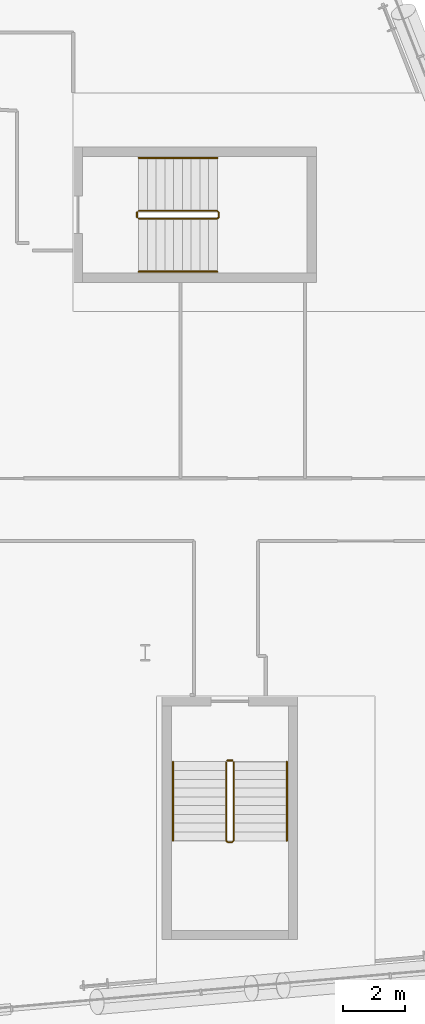
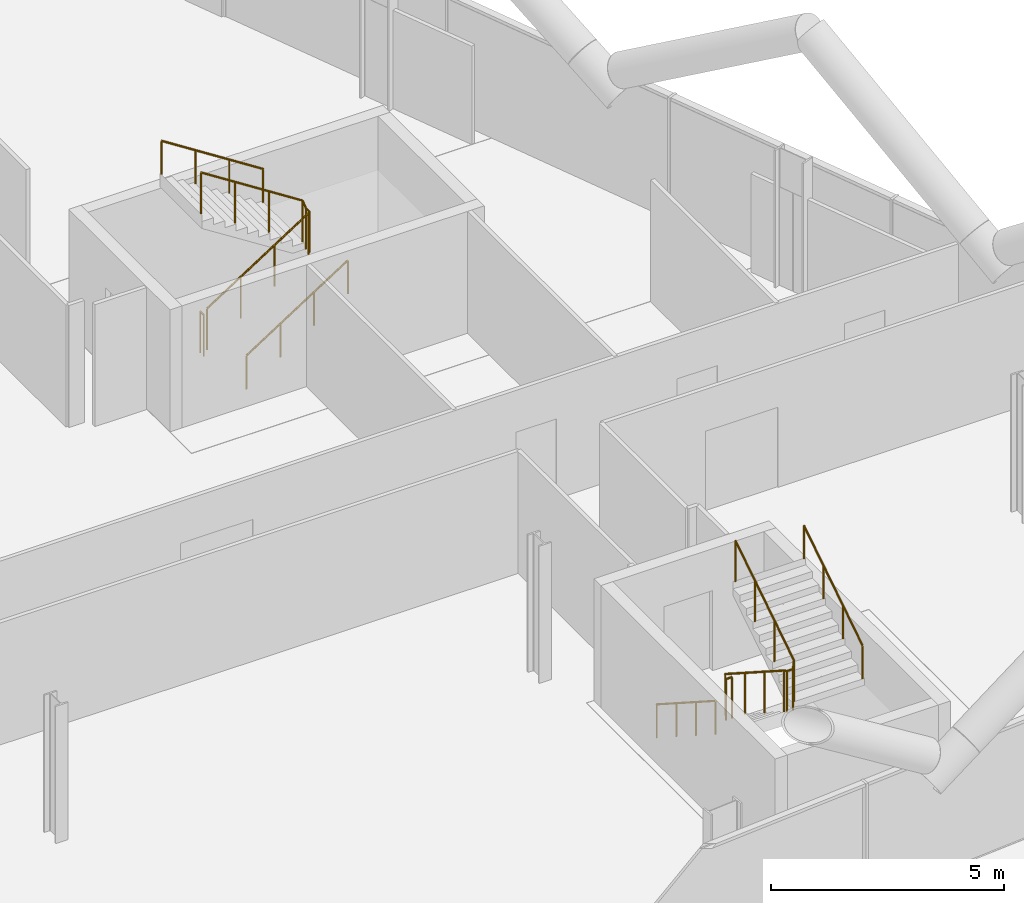
# One storey, part 26 of 26: 8 railings.
"""IFC4 building model written with IfcOpenShell, lengths in metres."""

import ifcopenshell
import ifcopenshell.guid

model = None  # the IFC model being written
_history = None  # IfcOwnerHistory: only IFC2X3 demands one
_inside = {}  # id of a spatial element -> (the spatial element, [elements in it])
_under = {}  # id of a project, library or spatial element -> (it, [spatial elements below it])
_declared = {}  # id of a project -> (the project, [libraries it declares])
_typed = {}  # id of a type object -> (the type object, [elements of that type])
_made_of = {}  # id of a material, layer set ... -> (it, [elements and type objects made of it])


def new_model(schema):
    """Start an empty IFC model of exactly this schema.

    Asked for "IFC4X3", IfcOpenShell would pick the latest addendum, in which some entities
    have other attributes; the version numbers below select the first issue.
    IFC2X3 requires an IfcOwnerHistory on every rooted entity: one is made here for all.
    """
    global model, _history
    if schema == "IFC4X3":
        model = ifcopenshell.file(schema_version=(4, 3, 0, 0))
    else:
        model = ifcopenshell.file(schema=schema)
    _inside.clear()
    _under.clear()
    _declared.clear()
    _typed.clear()
    _made_of.clear()
    _history = None
    if model.schema == "IFC2X3":
        org = make("IfcOrganization", Name="unknown")
        user = make(
            "IfcPersonAndOrganization",
            ThePerson=make("IfcPerson", FamilyName="unknown"),
            TheOrganization=org,
        )
        app = make(
            "IfcApplication",
            ApplicationDeveloper=org,
            Version="unknown",
            ApplicationFullName="unknown",
            ApplicationIdentifier="unknown",
        )
        _history = make(
            "IfcOwnerHistory",
            OwningUser=user,
            OwningApplication=app,
            ChangeAction="ADDED",
            CreationDate=0,
        )
    return model


def make(cls, **values):
    """One entity of the class cls with the attributes given. An attribute that is None is left unset."""
    return model.create_entity(
        cls, **{name: value for name, value in values.items() if value is not None}
    )


def rooted(cls, **values):
    """An entity with a GlobalId (a new one), such as an element, a storey or a relation."""
    return make(cls, GlobalId=ifcopenshell.guid.new(), OwnerHistory=_history, **values)


def si_unit(unit_type, name, prefix=None):
    """IfcSIUnit, for example si_unit("LENGTHUNIT", "METRE", prefix="MILLI")."""
    return make("IfcSIUnit", UnitType=unit_type, Prefix=prefix, Name=name)


def assignment(units):
    """IfcUnitAssignment: the units of a project."""
    return None if units is None else make("IfcUnitAssignment", Units=units)


def point(xyz):
    """IfcCartesianPoint."""
    return None if xyz is None else make("IfcCartesianPoint", Coordinates=xyz)


def direction(xyz):
    """IfcDirection."""
    return None if xyz is None else make("IfcDirection", DirectionRatios=xyz)


def frame(location, z_axis=None, x_axis=None):
    """IfcAxis2Placement3D, a coordinate frame: its origin and axes. An axis left out is left unset."""
    return make(
        "IfcAxis2Placement3D",
        Location=point(location),
        Axis=direction(z_axis),
        RefDirection=direction(x_axis),
    )


def frame_2d(location, x_axis=None):
    """IfcAxis2Placement2D, a coordinate frame in the plane: its origin and x axis."""
    return make(
        "IfcAxis2Placement2D", Location=point(location), RefDirection=direction(x_axis)
    )


def origin():
    """The frame at (0, 0, 0) with its axes left unset."""
    return frame((0.0, 0.0, 0.0))


def origin_2d():
    """The frame at (0, 0) in the plane with its x axis left unset."""
    return frame_2d((0.0, 0.0))


def place(relative_to, where):
    """IfcLocalPlacement: puts the frame where relative to a parent placement (None: the world)."""
    return make(
        "IfcLocalPlacement", PlacementRelTo=relative_to, RelativePlacement=where
    )


def context(
    kind, dimensions, precision=None, world=None, true_north=None, identifier=None
):
    """IfcGeometricRepresentationContext, for example the 3D "Model" context."""
    return make(
        "IfcGeometricRepresentationContext",
        ContextIdentifier=identifier,
        ContextType=kind,
        CoordinateSpaceDimension=dimensions,
        Precision=precision,
        WorldCoordinateSystem=world,
        TrueNorth=true_north,
    )


def subcontext(parent, identifier, kind, view, scale=None):
    """IfcGeometricRepresentationSubContext, for example "Body" below "Model"."""
    return make(
        "IfcGeometricRepresentationSubContext",
        ContextIdentifier=identifier,
        ContextType=kind,
        ParentContext=parent,
        TargetScale=scale,
        TargetView=view,
    )


def project(units=None, contexts=None):
    """IfcProject with its units and contexts."""
    return rooted(
        "IfcProject",
        Name="project",
        RepresentationContexts=contexts,
        UnitsInContext=assignment(units),
    )


def spatial(cls, under=None, at=None, **own):
    """A site, building, storey or space (cls), placed at a placement, below another one or the project."""
    s = rooted(cls, ObjectPlacement=at, **own)
    if under is not None:
        _under.setdefault(under.id(), (under, []))[1].append(s)
    return s


def profile(cls, at=None, kind="AREA", **sizes):
    """A parametric profile (cls). Its sizes go by their IFC names, for example OverallWidth=200.0."""
    return make(cls, ProfileType=kind, Position=at, **sizes)


def circle(**sizes):
    """IfcCircleProfileDef."""
    return profile("IfcCircleProfileDef", **sizes)


def extrude(swept, where, along, depth):
    """IfcExtrudedAreaSolid: the profile swept, set in the frame where, extruded along a direction by depth."""
    return make(
        "IfcExtrudedAreaSolid",
        SweptArea=swept,
        Position=where,
        ExtrudedDirection=direction(along),
        Depth=depth,
    )


def shape(context_of_items, identifier, shape_type, items):
    """IfcShapeRepresentation: the items that make up one representation, for example the "Body"."""
    return make(
        "IfcShapeRepresentation",
        ContextOfItems=context_of_items,
        RepresentationIdentifier=identifier,
        RepresentationType=shape_type,
        Items=items,
    )


def material(Name=None, Category=None):
    """IfcMaterial."""
    return make("IfcMaterial", Name=Name, Category=Category)


def made_of(thing, what):
    """Note that an element or type object is made of a material, layer set ...; save() writes the relation."""
    if what is not None:
        _made_of.setdefault(what.id(), (what, []))[1].append(thing)
    return thing


def type_object(cls, material=None, **own):
    """A type object (cls), such as IfcWallType, which elements share."""
    return made_of(rooted(cls, **own), material)


def element(
    cls,
    number,
    at=None,
    inside=None,
    cuts=None,
    type_object=None,
    material=None,
    context=None,
    identifier="Body",
    shape_type=None,
    held_by="IfcProductDefinitionShape",
    body=None,
    shapes=None,
    **own,
):
    """One element of the class cls, such as IfcWall. Its Tag is "e" and its number.

    at: its placement. inside: the storey or other place that contains it. cuts: it is an
    opening in that element (IfcRelVoidsElement). A single representation is given by context,
    identifier, shape_type and body (its items); several are given by shapes. held_by: the class
    of the entity that holds the representations. save() writes the other relations.
    """
    e = rooted(cls, Tag="e%d" % number, ObjectPlacement=at, **own)
    if body is not None:
        shapes = [shape(context, identifier, shape_type, body)]
    if shapes is not None:
        e.Representation = make(held_by, Representations=shapes)
    if inside is not None:
        _inside.setdefault(inside.id(), (inside, []))[1].append(e)
    if cuts is not None:
        rooted(
            "IfcRelVoidsElement", RelatingBuildingElement=cuts, RelatedOpeningElement=e
        )
    if type_object is not None:
        _typed.setdefault(type_object.id(), (type_object, []))[1].append(e)
    return made_of(e, material)


def aggregate(whole, parts):
    """IfcRelAggregates: a whole, such as a stair, and the parts it consists of."""
    return rooted("IfcRelAggregates", RelatingObject=whole, RelatedObjects=parts)


def save(model, path):
    """Write the relations noted so far, then the file.

    IfcRelAggregates (storeys below a building ...), IfcRelContainedInSpatialStructure (elements
    in a storey), IfcRelDefinesByType, IfcRelAssociatesMaterial and IfcRelDeclares: one each for
    every whole, place, type object, material and project.
    """
    for whole, parts in _under.values():
        aggregate(whole, parts)
    for where, things in _inside.values():
        rooted(
            "IfcRelContainedInSpatialStructure",
            RelatedElements=things,
            RelatingStructure=where,
        )
    for kind, things in _typed.values():
        rooted("IfcRelDefinesByType", RelatedObjects=things, RelatingType=kind)
    for what, things in _made_of.values():
        rooted("IfcRelAssociatesMaterial", RelatedObjects=things, RelatingMaterial=what)
    for by, libraries in _declared.values():
        rooted("IfcRelDeclares", RelatingContext=by, RelatedDefinitions=libraries)
    model.write(path)


model = new_model("IFC4")

# Units and contexts
model_context = context("Model", 3, precision=1e-05, world=origin(), true_north=direction((0.0, 1.0)))
body_context = subcontext(model_context, "Body", "Model", "MODEL_VIEW")
ifc_project = project(units=[si_unit("LENGTHUNIT", "METRE"), si_unit("AREAUNIT", "SQUARE_METRE"), si_unit("VOLUMEUNIT", "CUBIC_METRE"), si_unit("PLANEANGLEUNIT", "RADIAN"), si_unit("MASSUNIT", "GRAM", prefix="KILO")], contexts=[model_context])

# Site, building, storey
site_placement = place(None, origin())
site = spatial("IfcSite", under=ifc_project, at=site_placement, CompositionType="ELEMENT")
building_placement = place(site_placement, origin())
building = spatial("IfcBuilding", under=site, at=building_placement, Name="Wharfspan Tower", CompositionType="ELEMENT")
storey_placement = place(building_placement, frame((0.0, 0.0, 96.699951)))
storey = spatial("IfcBuildingStorey", under=building, at=storey_placement, Name="L21", CompositionType="ELEMENT", Elevation=96.699951)

# Railings
ifc_material = material(Name="Steel S355J2", Category="steel")
railing_type_1 = type_object("IfcRailingType", Name="Stair guard 1100", PredefinedType="GUARDRAIL", material=ifc_material)
railing_1_placement = place(storey_placement, frame((74.591064, 7.994629, 0.179932)))
element("IfcRailing", 1, at=railing_1_placement, inside=storey, type_object=railing_type_1, Name="L21 ST5 stair guard 1", PredefinedType="GUARDRAIL", context=body_context, shape_type="SweptSolid", body=[
    extrude(circle(Radius=0.023926, at=origin_2d()), frame((0.0, 0.0, 1.076172), z_axis=(0.0, -0.841163, 0.540782), x_axis=(1.0, 0.0, 0.0)), (0.0, 0.0, 1.0), 2.99585),
    extrude(circle(Radius=0.023926, at=origin_2d()), frame((0.0, -2.52002, 2.696289), z_axis=(0.707107, -0.707107, 0.0), x_axis=(0.707107, 0.707107, 0.0)), (0.0, 0.0, 1.0), 0.070801),
    extrude(circle(Radius=0.023926, at=origin_2d()), frame((0.050049, -2.570068, 2.696289), z_axis=(1.0, 0.0, 0.0), x_axis=(0.0, 1.0, 0.0)), (0.0, 0.0, 1.0), 0.149902),
    extrude(circle(Radius=0.023926, at=origin_2d()), frame((0.199951, -2.570068, 2.696289), z_axis=(0.258848, 0.258848, 0.930589), x_axis=(-0.707107, 0.707107, 0.0)), (0.0, 0.0, 1.0), 0.193359),
    extrude(circle(Radius=0.023926, at=origin_2d()), frame((0.25, -2.52002, 2.875977), z_axis=(0.0, 0.841163, 0.540782), x_axis=(-1.0, 0.0, 0.0)), (0.0, 0.0, 1.0), 2.99585),
    extrude(circle(Radius=0.020996, at=origin_2d()), origin(), (0.0, 0.0, 1.0), 1.052002),
    extrude(circle(Radius=0.020996, at=origin_2d()), frame((0.0, -0.840088, 0.540039)), (0.0, 0.0, 1.0), 1.052002),
    extrude(circle(Radius=0.020996, at=origin_2d()), frame((0.0, -1.679932, 1.080078)), (0.0, 0.0, 1.0), 1.052002),
    extrude(circle(Radius=0.020996, at=origin_2d()), frame((0.0, -2.52002, 1.620117)), (0.0, 0.0, 1.0), 1.052002),
    extrude(circle(Radius=0.020996, at=origin_2d()), frame((0.050049, -2.570068, 1.620117)), (0.0, 0.0, 1.0), 1.052002),
    extrude(circle(Radius=0.020996, at=origin_2d()), frame((0.199951, -2.570068, 1.620117)), (0.0, 0.0, 1.0), 1.052002),
    extrude(circle(Radius=0.020996, at=origin_2d()), frame((0.25, -2.52002, 1.800049)), (0.0, 0.0, 1.0), 1.052002),
    extrude(circle(Radius=0.020996, at=origin_2d()), frame((0.25, -1.679932, 2.340088)), (0.0, 0.0, 1.0), 1.052002),
    extrude(circle(Radius=0.020996, at=origin_2d()), frame((0.25, -0.840088, 2.880127)), (0.0, 0.0, 1.0), 1.052002),
    extrude(circle(Radius=0.020996, at=origin_2d()), frame((0.25, 0.0, 3.420166)), (0.0, 0.0, 1.0), 1.052002),
])
railing_2_placement = place(storey_placement, frame((74.641113, 8.044678, 0.0)))
element("IfcRailing", 2, at=railing_2_placement, inside=storey, type_object=railing_type_1, Name="L21 ST5 stair guard 2", PredefinedType="GUARDRAIL", context=body_context, shape_type="SweptSolid", body=[
    extrude(circle(Radius=0.023926, at=origin_2d()), frame((0.0, 0.0, 1.076172), z_axis=(1.0, 0.0, 0.0), x_axis=(0.0, 1.0, 0.0)), (0.0, 0.0, 1.0), 0.149902),
    extrude(circle(Radius=0.020996, at=origin_2d()), origin(), (0.0, 0.0, 1.0), 1.052002),
    extrude(circle(Radius=0.020996, at=origin_2d()), frame((0.149902, 0.0, 0.0)), (0.0, 0.0, 1.0), 1.052002),
])
railing_3_placement = place(storey_placement, frame((71.790283, 25.425049, 0.179932)))
element("IfcRailing", 3, at=railing_3_placement, inside=storey, type_object=railing_type_1, Name="L21 ST6 stair guard 1", PredefinedType="GUARDRAIL", context=body_context, shape_type="SweptSolid", body=[
    extrude(circle(Radius=0.023926, at=origin_2d()), frame((0.0, 0.0, 1.076172), z_axis=(0.841163, 0.0, 0.540782), x_axis=(0.0, 1.0, 0.0)), (0.0, 0.0, 1.0), 2.99585),
    extrude(circle(Radius=0.023926, at=origin_2d()), frame((2.52002, 0.0, 2.696289), z_axis=(0.707107, 0.707107, 0.0), x_axis=(-0.707107, 0.707107, 0.0)), (0.0, 0.0, 1.0), 0.070801),
    extrude(circle(Radius=0.023926, at=origin_2d()), frame((2.570068, 0.050049, 2.696289), z_axis=(0.0, 1.0, 0.0), x_axis=(-1.0, 0.0, 0.0)), (0.0, 0.0, 1.0), 0.149902),
    extrude(circle(Radius=0.023926, at=origin_2d()), frame((2.570068, 0.199951, 2.696289), z_axis=(-0.258848, 0.258848, 0.930589), x_axis=(-0.707107, -0.707107, 0.0)), (0.0, 0.0, 1.0), 0.193359),
    extrude(circle(Radius=0.023926, at=origin_2d()), frame((2.52002, 0.25, 2.875977), z_axis=(-0.841163, 0.0, 0.540782), x_axis=(0.0, -1.0, 0.0)), (0.0, 0.0, 1.0), 2.99585),
    extrude(circle(Radius=0.020996, at=origin_2d()), origin(), (0.0, 0.0, 1.0), 1.052002),
    extrude(circle(Radius=0.020996, at=origin_2d()), frame((0.840088, 0.0, 0.540039)), (0.0, 0.0, 1.0), 1.052002),
    extrude(circle(Radius=0.020996, at=origin_2d()), frame((1.679932, 0.0, 1.080078)), (0.0, 0.0, 1.0), 1.052002),
    extrude(circle(Radius=0.020996, at=origin_2d()), frame((2.52002, 0.0, 1.620117)), (0.0, 0.0, 1.0), 1.052002),
    extrude(circle(Radius=0.020996, at=origin_2d()), frame((2.570068, 0.050049, 1.620117)), (0.0, 0.0, 1.0), 1.052002),
    extrude(circle(Radius=0.020996, at=origin_2d()), frame((2.570068, 0.199951, 1.620117)), (0.0, 0.0, 1.0), 1.052002),
    extrude(circle(Radius=0.020996, at=origin_2d()), frame((2.52002, 0.25, 1.800049)), (0.0, 0.0, 1.0), 1.052002),
    extrude(circle(Radius=0.020996, at=origin_2d()), frame((1.679932, 0.25, 2.340088)), (0.0, 0.0, 1.0), 1.052002),
    extrude(circle(Radius=0.020996, at=origin_2d()), frame((0.840088, 0.25, 2.880127)), (0.0, 0.0, 1.0), 1.052002),
    extrude(circle(Radius=0.020996, at=origin_2d()), frame((0.0, 0.25, 3.420166)), (0.0, 0.0, 1.0), 1.052002),
])
railing_4_placement = place(storey_placement, frame((71.740479, 25.475098, 0.0)))
element("IfcRailing", 4, at=railing_4_placement, inside=storey, type_object=railing_type_1, Name="L21 ST6 stair guard 2", PredefinedType="GUARDRAIL", context=body_context, shape_type="SweptSolid", body=[
    extrude(circle(Radius=0.023926, at=origin_2d()), frame((0.0, 0.0, 1.076172), z_axis=(0.0, 1.0, 0.0), x_axis=(-1.0, 0.0, 0.0)), (0.0, 0.0, 1.0), 0.149902),
    extrude(circle(Radius=0.020996, at=origin_2d()), origin(), (0.0, 0.0, 1.0), 1.052002),
    extrude(circle(Radius=0.020996, at=origin_2d()), frame((0.0, 0.149902, 0.0)), (0.0, 0.0, 1.0), 1.052002),
])
railing_type_2 = type_object("IfcRailingType", Name="Stair handrail 900", PredefinedType="HANDRAIL", material=ifc_material)
railing_5_placement = place(storey_placement, frame((72.891113, 7.994629, 0.179932)))
element("IfcRailing", 5, at=railing_5_placement, inside=storey, type_object=railing_type_2, Name="L21 ST5 stair handrail 1", PredefinedType="HANDRAIL", context=body_context, shape_type="SweptSolid", body=[
    extrude(circle(Radius=0.023926, at=origin_2d()), frame((0.0, 0.0, 0.875977), z_axis=(0.0, -0.841163, 0.540782), x_axis=(1.0, 0.0, 0.0)), (0.0, 0.0, 1.0), 2.99585),
    extrude(circle(Radius=0.020996, at=origin_2d()), origin(), (0.0, 0.0, 1.0), 0.851807),
    extrude(circle(Radius=0.020996, at=origin_2d()), frame((0.0, -0.840088, 0.540039)), (0.0, 0.0, 1.0), 0.851807),
    extrude(circle(Radius=0.020996, at=origin_2d()), frame((0.0, -1.679932, 1.080078)), (0.0, 0.0, 1.0), 0.851807),
    extrude(circle(Radius=0.020996, at=origin_2d()), frame((0.0, -2.52002, 1.620117)), (0.0, 0.0, 1.0), 0.851807),
])
railing_6_placement = place(storey_placement, frame((76.541016, 5.474609, 1.97998)))
element("IfcRailing", 6, at=railing_6_placement, inside=storey, type_object=railing_type_2, Name="L21 ST5 stair handrail 2", PredefinedType="HANDRAIL", context=body_context, shape_type="SweptSolid", body=[
    extrude(circle(Radius=0.023926, at=origin_2d()), frame((0.0, 0.0, 0.875977), z_axis=(0.0, 0.841163, 0.540782), x_axis=(-1.0, 0.0, 0.0)), (0.0, 0.0, 1.0), 2.99585),
    extrude(circle(Radius=0.020996, at=origin_2d()), origin(), (0.0, 0.0, 1.0), 0.851807),
    extrude(circle(Radius=0.020996, at=origin_2d()), frame((0.0, 0.840088, 0.540039)), (0.0, 0.0, 1.0), 0.851807),
    extrude(circle(Radius=0.020996, at=origin_2d()), frame((0.0, 1.679932, 1.080078)), (0.0, 0.0, 1.0), 0.851807),
    extrude(circle(Radius=0.020996, at=origin_2d()), frame((0.0, 2.52002, 1.620117)), (0.0, 0.0, 1.0), 0.851807),
])
railing_7_placement = place(storey_placement, frame((71.790283, 23.725098, 0.179932)))
element("IfcRailing", 7, at=railing_7_placement, inside=storey, type_object=railing_type_2, Name="L21 ST6 stair handrail 1", PredefinedType="HANDRAIL", context=body_context, shape_type="SweptSolid", body=[
    extrude(circle(Radius=0.023926, at=origin_2d()), frame((0.0, 0.0, 0.875977), z_axis=(0.841163, 0.0, 0.540782), x_axis=(0.0, 1.0, 0.0)), (0.0, 0.0, 1.0), 2.99585),
    extrude(circle(Radius=0.020996, at=origin_2d()), origin(), (0.0, 0.0, 1.0), 0.851807),
    extrude(circle(Radius=0.020996, at=origin_2d()), frame((0.840088, 0.0, 0.540039)), (0.0, 0.0, 1.0), 0.851807),
    extrude(circle(Radius=0.020996, at=origin_2d()), frame((1.679932, 0.0, 1.080078)), (0.0, 0.0, 1.0), 0.851807),
    extrude(circle(Radius=0.020996, at=origin_2d()), frame((2.52002, 0.0, 1.620117)), (0.0, 0.0, 1.0), 0.851807),
])
railing_8_placement = place(storey_placement, frame((74.310303, 27.375, 1.97998)))
element("IfcRailing", 8, at=railing_8_placement, inside=storey, type_object=railing_type_2, Name="L21 ST6 stair handrail 2", PredefinedType="HANDRAIL", context=body_context, shape_type="SweptSolid", body=[
    extrude(circle(Radius=0.023926, at=origin_2d()), frame((0.0, 0.0, 0.875977), z_axis=(-0.841163, 0.0, 0.540782), x_axis=(0.0, -1.0, 0.0)), (0.0, 0.0, 1.0), 2.99585),
    extrude(circle(Radius=0.020996, at=origin_2d()), origin(), (0.0, 0.0, 1.0), 0.851807),
    extrude(circle(Radius=0.020996, at=origin_2d()), frame((-0.840088, 0.0, 0.540039)), (0.0, 0.0, 1.0), 0.851807),
    extrude(circle(Radius=0.020996, at=origin_2d()), frame((-1.679932, 0.0, 1.080078)), (0.0, 0.0, 1.0), 0.851807),
    extrude(circle(Radius=0.020996, at=origin_2d()), frame((-2.52002, 0.0, 1.620117)), (0.0, 0.0, 1.0), 0.851807),
])

save(model, "model.ifc")
